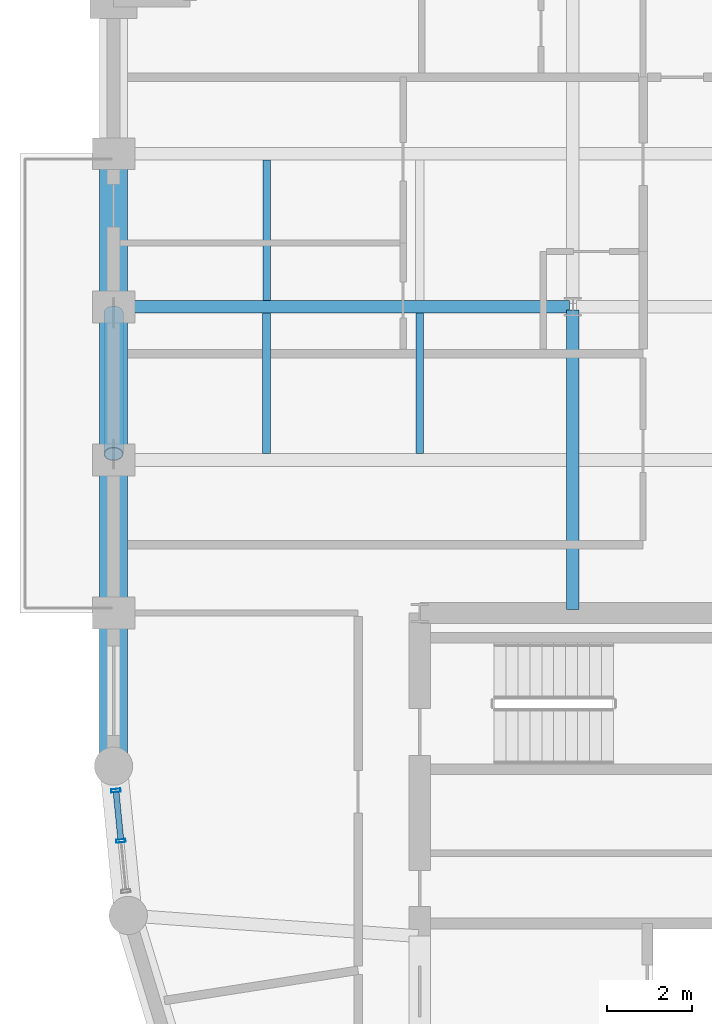
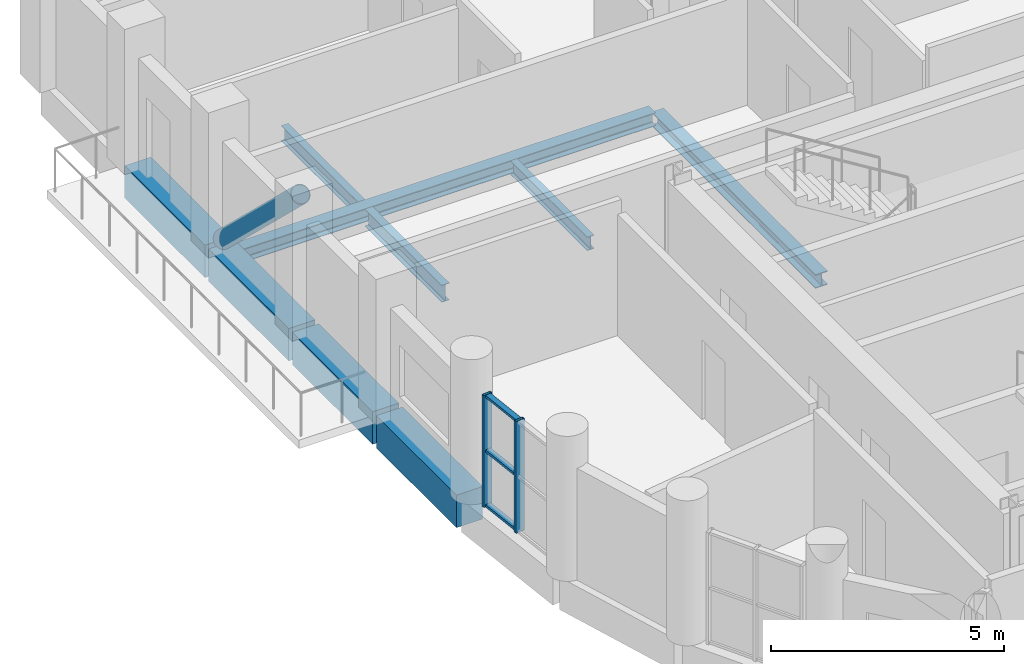
# One storey, part 6 of 15: 9 beams, 6 members, 1 element without a shape of its own.
"""IFC4 building model written with IfcOpenShell, lengths in metres."""

from ifc_helpers import new_model, si_unit, direction, frame, origin, origin_2d, place, context, subcontext, project, spatial, rectangle, hollow_rectangle, hollow_circle, i_section, extrude, material, layer, layer_set, material_profile, profile_set, type_object, element, aggregate, save


model = new_model("IFC4")

# Units and contexts
model_context = context("Model", 3, precision=1e-05, world=origin(), true_north=direction((0.0, 1.0)))
body_context = subcontext(model_context, "Body", "Model", "MODEL_VIEW")
ifc_project = project(units=[si_unit("LENGTHUNIT", "METRE"), si_unit("AREAUNIT", "SQUARE_METRE"), si_unit("VOLUMEUNIT", "CUBIC_METRE"), si_unit("PLANEANGLEUNIT", "RADIAN"), si_unit("MASSUNIT", "GRAM", prefix="KILO")], contexts=[model_context])

# Site, building, storey
site_placement = place(None, origin())
site = spatial("IfcSite", under=ifc_project, at=site_placement, CompositionType="ELEMENT")
building_placement = place(site_placement, origin())
building = spatial("IfcBuilding", under=site, at=building_placement, Name="Solnavia Interchange Tower", CompositionType="ELEMENT")
storey_placement = place(building_placement, frame((0.0, 0.0, 146.60009765625)))
storey = spatial("IfcBuildingStorey", under=building, at=storey_placement, Name="L36", CompositionType="ELEMENT", Elevation=146.60009765625)

# Beams
ifc_material_1 = material(Name="Steel S460", Category="steel")
ifc_material_profile_1 = material_profile(ifc_material_1, i_section(OverallWidth=0.300048828125, OverallDepth=0.360107421875, WebThickness=0.012451171875, FlangeThickness=0.0224609375, FilletRadius=0.027099609375, at=origin_2d()), Name="HEB 360")
ifc_profile_set_1 = profile_set([ifc_material_profile_1], Name="Steel S460")
beam_type_1 = type_object("IfcBeamType", Name="Beam-Girder-HEB360", PredefinedType="BEAM", material=ifc_profile_set_1)
beam_1_placement = place(storey_placement, frame((18.0, 25.280029296875, -0.43017578125), z_axis=(0.0, 1.0, 0.0), x_axis=(-1.0, 0.0, 0.0)))
element("IfcBeam", 1, at=beam_1_placement, inside=storey, type_object=beam_type_1, Name="GRD-L36-NS08 North wing spine girder", PredefinedType="BEAM", context=body_context, shape_type="SweptSolid", body=[
    extrude(i_section(OverallWidth=0.300048828125, OverallDepth=0.360107421875, WebThickness=0.012451171875, FlangeThickness=0.0224609375, FilletRadius=0.027099609375, at=origin_2d()), origin(), (0.0, 0.0, 1.0), 7.0400390625),
])
ifc_material_2 = material(Name="Steel S355", Category="steel")
ifc_material_profile_2 = material_profile(ifc_material_2, i_section(OverallWidth=0.169921875, OverallDepth=0.360107421875, WebThickness=0.008056640625, FlangeThickness=0.0126953125, FilletRadius=0.01806640625, at=origin_2d()), Name="IPE 360")
ifc_profile_set_2 = profile_set([ifc_material_profile_2], Name="Steel S355")
beam_type_2 = type_object("IfcBeamType", Name="Beam-Joist-IPE360", PredefinedType="JOIST", material=ifc_profile_set_2)
beam_2_placement = place(storey_placement, frame((14.39990234375, 28.949951171875, -0.43017578125), z_axis=(0.0, 1.0, 0.0), x_axis=(-1.0, 0.0, 0.0)))
element("IfcBeam", 2, at=beam_2_placement, inside=storey, type_object=beam_type_2, Name="JST-L36-N15 North wing secondary joist", PredefinedType="JOIST", context=body_context, shape_type="SweptSolid", body=[
    extrude(i_section(OverallWidth=0.169921875, OverallDepth=0.360107421875, WebThickness=0.008056640625, FlangeThickness=0.0126953125, FilletRadius=0.01806640625, at=origin_2d()), origin(), (0.0, 0.0, 1.0), 3.300048828125),
])
ifc_material_profile_3 = material_profile(ifc_material_2, i_section(OverallWidth=0.179931640625, OverallDepth=0.39990234375, WebThickness=0.008544921875, FlangeThickness=0.013427734375, FilletRadius=0.02099609375, at=origin_2d()), Name="IPE 400")
ifc_profile_set_3 = profile_set([ifc_material_profile_3], Name="Steel S355")
beam_type_3 = type_object("IfcBeamType", Name="Beam-Joist-IPE400", PredefinedType="JOIST", material=ifc_profile_set_3)
beam_3_placement = place(storey_placement, frame((10.800048828125, 32.550048828125, -0.4501953125), z_axis=(0.0, 1.0, 0.0), x_axis=(-1.0, 0.0, 0.0)))
element("IfcBeam", 3, at=beam_3_placement, inside=storey, type_object=beam_type_3, Name="JST-L36-N14 North wing secondary joist", PredefinedType="JOIST", context=body_context, shape_type="SweptSolid", body=[
    extrude(i_section(OverallWidth=0.179931640625, OverallDepth=0.39990234375, WebThickness=0.008544921875, FlangeThickness=0.013427734375, FilletRadius=0.02099609375, at=origin_2d()), origin(), (0.0, 0.0, 1.0), 3.300048828125),
])
ifc_material_profile_4 = material_profile(ifc_material_2, i_section(OverallWidth=0.18994140625, OverallDepth=0.449951171875, WebThickness=0.009521484375, FlangeThickness=0.0146484375, FilletRadius=0.02099609375, at=origin_2d()), Name="IPE 450")
ifc_profile_set_4 = profile_set([ifc_material_profile_4], Name="Steel S355")
beam_type_4 = type_object("IfcBeamType", Name="Beam-Joist-IPE450", PredefinedType="JOIST", material=ifc_profile_set_4)
beam_4_placement = place(storey_placement, frame((10.800048828125, 28.949951171875, -0.47509765625), z_axis=(0.0, 1.0, 0.0), x_axis=(-1.0, 0.0, 0.0)))
element("IfcBeam", 4, at=beam_4_placement, inside=storey, type_object=beam_type_4, Name="JST-L36-N13 North wing secondary joist", PredefinedType="JOIST", context=body_context, shape_type="SweptSolid", body=[
    extrude(i_section(OverallWidth=0.18994140625, OverallDepth=0.449951171875, WebThickness=0.009521484375, FlangeThickness=0.0146484375, FilletRadius=0.02099609375, at=origin_2d()), origin(), (0.0, 0.0, 1.0), 3.300048828125),
])
ifc_material_profile_5 = material_profile(ifc_material_2, i_section(OverallWidth=0.300048828125, OverallDepth=0.35009765625, WebThickness=0.010009765625, FlangeThickness=0.017578125, FilletRadius=0.027099609375, at=origin_2d()), Name="HEA 360")
ifc_profile_set_5 = profile_set([ifc_material_profile_5], Name="Steel S355")
beam_type_5 = type_object("IfcBeamType", Name="Beam-Primary-HEA360", PredefinedType="BEAM", material=ifc_profile_set_5)
beam_5_placement = place(storey_placement, frame((7.280029296875, 32.39990234375, -0.425048828125), z_axis=(1.0, 0.0, 0.0), x_axis=(0.0, 1.0, 0.0)))
element("IfcBeam", 5, at=beam_5_placement, inside=storey, type_object=beam_type_5, Name="GRD-L36-NW11 North wing primary floor girder", PredefinedType="BEAM", context=body_context, shape_type="SweptSolid", body=[
    extrude(i_section(OverallWidth=0.300048828125, OverallDepth=0.35009765625, WebThickness=0.010009765625, FlangeThickness=0.017578125, FilletRadius=0.027099609375, at=origin_2d()), origin(), (0.0, 0.0, 1.0), 10.639892578125),
])
ifc_material_3 = material(Name="Concrete C50/60", Category="concrete")
ifc_material_profile_6 = material_profile(ifc_material_3, rectangle(XDim=0.64990234375, YDim=0.85009765625, at=origin_2d()), Name="RC 650x850")
ifc_profile_set_6 = profile_set([ifc_material_profile_6], Name="Concrete C50/60")
beam_type_6 = type_object("IfcBeamType", Name="Beam-Spandrel-RC650x850", PredefinedType="SPANDREL", material=ifc_profile_set_6)
beam_6_placement = place(storey_placement, frame((7.199951171875, 35.919921875, -0.425048828125), z_axis=(0.0, -1.0, 0.0), x_axis=(1.0, 0.0, 0.0)))
element("IfcBeam", 6, at=beam_6_placement, inside=storey, type_object=beam_type_6, Name="SPB-L36-33 Framed-tube perimeter spandrel beam", PredefinedType="SPANDREL", context=body_context, shape_type="SweptSolid", body=[
    extrude(rectangle(XDim=0.64990234375, YDim=0.85009765625, at=origin_2d()), origin(), (0.0, 0.0, 1.0), 3.43994140625),
])
beam_7_placement = place(storey_placement, frame((7.199951171875, 32.320068359375, -0.425048828125), z_axis=(0.0, -1.0, 0.0), x_axis=(1.0, 0.0, 0.0)))
element("IfcBeam", 7, at=beam_7_placement, inside=storey, type_object=beam_type_6, Name="SPB-L36-34 Framed-tube perimeter spandrel beam", PredefinedType="SPANDREL", context=body_context, shape_type="SweptSolid", body=[
    extrude(rectangle(XDim=0.64990234375, YDim=0.85009765625, at=origin_2d()), origin(), (0.0, 0.0, 1.0), 3.440185546875),
])
beam_8_placement = place(storey_placement, frame((7.199951171875, 28.719970703125, -0.425048828125), z_axis=(0.0, -1.0, 0.0), x_axis=(1.0, 0.0, 0.0)))
element("IfcBeam", 8, at=beam_8_placement, inside=storey, type_object=beam_type_6, Name="SPB-L36-35 Framed-tube perimeter spandrel beam", PredefinedType="SPANDREL", context=body_context, shape_type="SweptSolid", body=[
    extrude(rectangle(XDim=0.64990234375, YDim=0.85009765625, at=origin_2d()), origin(), (0.0, 0.0, 1.0), 3.43994140625),
])
beam_9_placement = place(storey_placement, frame((7.199951171875, 25.1201171875, -0.425048828125), z_axis=(0.0, -1.0, 0.0), x_axis=(1.0, 0.0, 0.0)))
element("IfcBeam", 9, at=beam_9_placement, inside=storey, type_object=beam_type_6, Name="SPB-L36-36 Framed-tube perimeter spandrel beam", PredefinedType="SPANDREL", context=body_context, shape_type="SweptSolid", body=[
    extrude(rectangle(XDim=0.64990234375, YDim=0.85009765625, at=origin_2d()), origin(), (0.0, 0.0, 1.0), 3.440185546875),
])

# Member
ifc_material_profile_7 = material_profile(ifc_material_1, hollow_circle(Radius=0.228515625, WallThickness=0.02001953125, at=origin_2d()), Name="CHS 457x20")
ifc_profile_set_7 = profile_set([ifc_material_profile_7], Name="Steel S460")
member_type_1 = type_object("IfcMemberType", Name="Brace-Perim-CHS457", PredefinedType="BRACE", material=ifc_profile_set_7)
member_1_placement = place(storey_placement, frame((7.199951171875, 32.260009765625, 0.179931640625), z_axis=(0.0, -0.721096918576, 0.692834203847), x_axis=(1.0, 0.0, 0.0)))
element("IfcMember", 10, at=member_1_placement, inside=storey, type_object=member_type_1, Name="BRC-L36-02 Perimeter tube diagonal brace", PredefinedType="BRACE", context=body_context, shape_type="SweptSolid", body=[
    extrude(hollow_circle(Radius=0.228515625, WallThickness=0.02001953125, at=origin_2d()), origin(), (0.0, 0.0, 1.0), 4.604248046875),
])

# Curtain wall, members
ifc_material_4 = material(Name="Aluminium Alloy 6063-T6", Category="aluminium")
ifc_layer = layer(ifc_material_4, 0.239990234375)
ifc_layer_set = layer_set([ifc_layer], Name="Aluminium Alloy 6063-T6")
curtain_wall_type = type_object("IfcCurtainWallType", Name="CurtainWall-Drum-CTW2", PredefinedType="NOTDEFINED", material=ifc_layer_set)
curtain_wall_placement = place(storey_placement, origin())
curtain_wall = element("IfcCurtainWall", 11, at=curtain_wall_placement, inside=storey, type_object=curtain_wall_type, Name="CTW-L36-D51 CTW-2 curtain wall", PredefinedType="NOTDEFINED")
ifc_material_profile_8 = material_profile(ifc_material_4, hollow_rectangle(XDim=0.074951171875, YDim=0.219970703125, WallThickness=0.0048828125, at=origin_2d()), Name="ALU 220x75x5")
ifc_profile_set_8 = profile_set([ifc_material_profile_8], Name="Aluminium Alloy 6063-T6")
member_type_2 = type_object("IfcMemberType", Name="CW-Mullion-CWM-2", PredefinedType="MULLION", material=ifc_profile_set_8)
member_2_placement = place(storey_placement, frame((7.25634765625, 21.02783203125, 0.0), z_axis=(0.0, 0.0, 1.0), x_axis=(0.098043088306, -0.995182170678, 0.0)))
member_2 = element("IfcMember", 12, at=member_2_placement, type_object=member_type_2, Name="CTW-2 mullion 1", PredefinedType="MULLION", context=body_context, shape_type="SweptSolid", body=[
    extrude(hollow_rectangle(XDim=0.074951171875, YDim=0.219970703125, WallThickness=0.0048828125, at=origin_2d()), origin(), (0.0, 0.0, 1.0), 2.929931640625),
])
member_3_placement = place(storey_placement, frame((7.373046875, 19.843994140625, 0.0), z_axis=(0.0, 0.0, 1.0), x_axis=(0.098043088306, -0.995182170678, 0.0)))
member_3 = element("IfcMember", 13, at=member_3_placement, type_object=member_type_2, Name="CTW-2 mullion 2", PredefinedType="MULLION", context=body_context, shape_type="SweptSolid", body=[
    extrude(hollow_rectangle(XDim=0.074951171875, YDim=0.219970703125, WallThickness=0.0048828125, at=origin_2d()), origin(), (0.0, 0.0, 1.0), 2.929931640625),
])
ifc_material_profile_9 = material_profile(ifc_material_4, hollow_rectangle(XDim=0.06494140625, YDim=0.139892578125, WallThickness=0.00390625, at=origin_2d()), Name="ALU 140x65x4")
ifc_profile_set_9 = profile_set([ifc_material_profile_9], Name="Aluminium Alloy 6063-T6")
member_type_3 = type_object("IfcMemberType", Name="CW-Transom-CWT-2", PredefinedType="USERDEFINED", material=ifc_profile_set_9)
member_4_placement = place(storey_placement, frame((7.260009765625, 20.990478515625, 0.032470703125), z_axis=(0.098137234257, -0.995172891136, 0.0), x_axis=(0.0, 0.0, 1.0)))
member_4 = element("IfcMember", 14, at=member_4_placement, type_object=member_type_3, Name="CTW-2 transom 1.1", ObjectType="TRANSOM", PredefinedType="USERDEFINED", context=body_context, shape_type="SweptSolid", body=[
    extrude(hollow_rectangle(XDim=0.06494140625, YDim=0.139892578125, WallThickness=0.00390625, at=origin_2d()), origin(), (0.0, 0.0, 1.0), 1.114501953125),
])
member_5_placement = place(storey_placement, frame((7.260009765625, 20.990478515625, 1.46484375), z_axis=(0.098137234257, -0.995172891136, 0.0), x_axis=(0.0, 0.0, 1.0)))
member_5 = element("IfcMember", 15, at=member_5_placement, type_object=member_type_3, Name="CTW-2 transom 1.2", ObjectType="TRANSOM", PredefinedType="USERDEFINED", context=body_context, shape_type="SweptSolid", body=[
    extrude(hollow_rectangle(XDim=0.06494140625, YDim=0.139892578125, WallThickness=0.00390625, at=origin_2d()), origin(), (0.0, 0.0, 1.0), 1.114501953125),
])
member_6_placement = place(storey_placement, frame((7.260009765625, 20.990478515625, 2.8974609375), z_axis=(0.098137234257, -0.995172891136, 0.0), x_axis=(0.0, 0.0, 1.0)))
member_6 = element("IfcMember", 16, at=member_6_placement, type_object=member_type_3, Name="CTW-2 transom 1.3", ObjectType="TRANSOM", PredefinedType="USERDEFINED", context=body_context, shape_type="SweptSolid", body=[
    extrude(hollow_rectangle(XDim=0.06494140625, YDim=0.139892578125, WallThickness=0.00390625, at=origin_2d()), origin(), (0.0, 0.0, 1.0), 1.114501953125),
])
aggregate(curtain_wall, [member_2, member_3, member_4, member_5, member_6])

save(model, "model.ifc")
